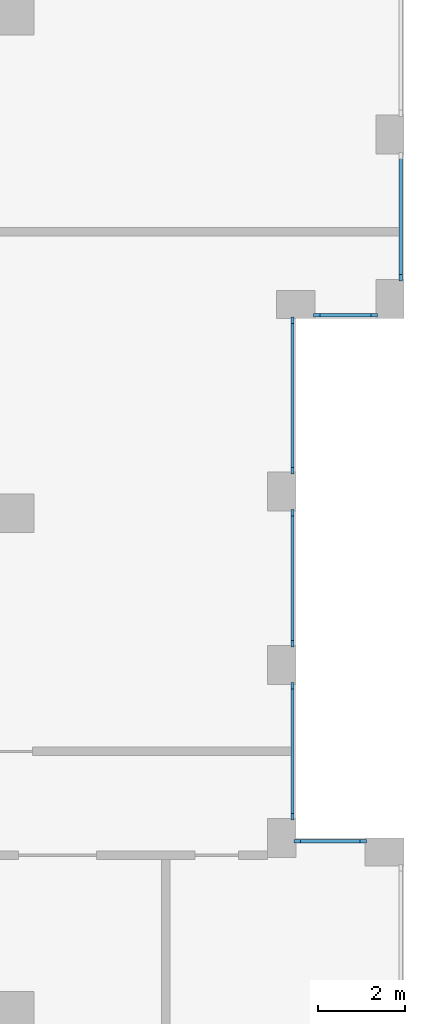
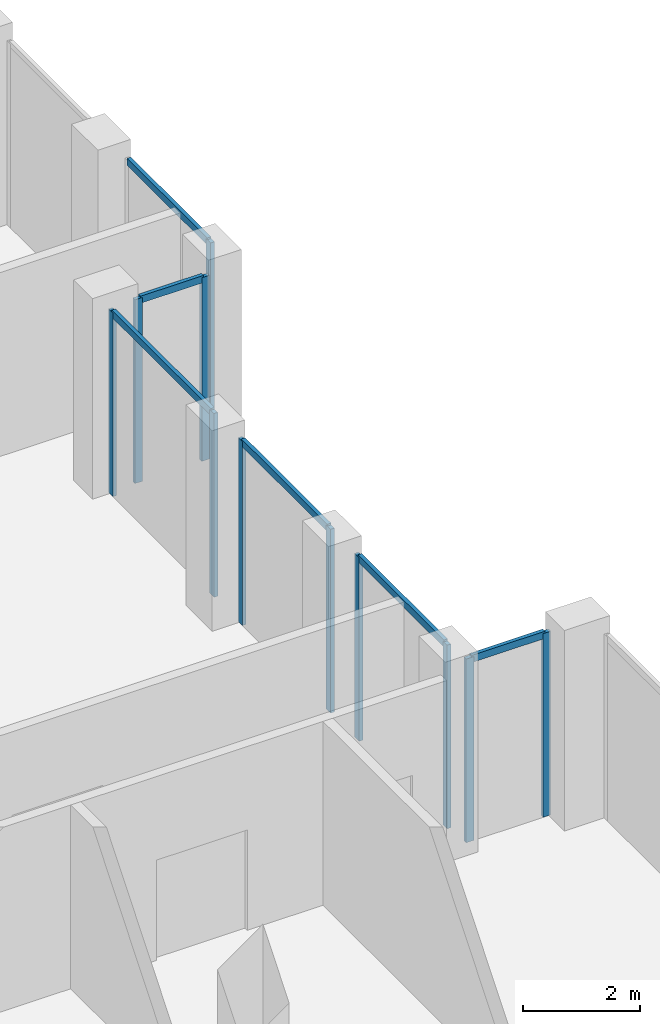
# One storey, part 6 of 15: 17 members, 6 elements without a shape of their own.
"""IFC4 building model written with IfcOpenShell, lengths in metres."""

from ifc_helpers import new_model, si_unit, direction, frame, origin, origin_2d, place, context, subcontext, project, spatial, rectangle, extrude, material, layer, layer_set, material_profile, profile_set, type_object, element, aggregate, save


model = new_model("IFC4")

# Units and contexts
model_context = context("Model", 3, precision=1e-05, world=origin(), true_north=direction((0.0, 1.0)))
body_context = subcontext(model_context, "Body", "Model", "MODEL_VIEW")
ifc_project = project(units=[si_unit("LENGTHUNIT", "METRE"), si_unit("AREAUNIT", "SQUARE_METRE"), si_unit("VOLUMEUNIT", "CUBIC_METRE"), si_unit("PLANEANGLEUNIT", "RADIAN"), si_unit("MASSUNIT", "GRAM", prefix="KILO")], contexts=[model_context])

# Site, building, storey
site_placement = place(None, origin())
site = spatial("IfcSite", under=ifc_project, at=site_placement, CompositionType="ELEMENT")
building_placement = place(site_placement, origin())
building = spatial("IfcBuilding", under=site, at=building_placement, Name="Brigalow Station Residences", CompositionType="ELEMENT")
storey_placement = place(building_placement, frame((0.0, 0.0, 235.800048828125)))
storey = spatial("IfcBuildingStorey", under=building, at=storey_placement, Name="L68", CompositionType="ELEMENT", Elevation=235.800048828125)

# Curtain wall, members
ifc_material_1 = material(Name="Aluminium", Category="aluminium")
ifc_layer = layer(ifc_material_1, 0.14990234375)
ifc_layer_set = layer_set([ifc_layer], Name="CROWN CURTAIN WALL")
curtain_wall_type = type_object("IfcCurtainWallType", Name="CROWN CURTAIN WALL", PredefinedType="NOTDEFINED", material=ifc_layer_set)
curtain_wall_1_placement = place(storey_placement, origin())
curtain_wall_1 = element("IfcCurtainWall", 1, at=curtain_wall_1_placement, inside=storey, type_object=curtain_wall_type, Name="L68/cw/crown-W-L68-11-10", PredefinedType="NOTDEFINED")
ifc_material_2 = material(Name="Aluminium", Category="aluminium")
ifc_material_profile_1 = material_profile(ifc_material_2, rectangle(XDim=0.074951171875, YDim=0.14990234375, at=origin_2d()), Name="CROWN MULLION 75x150")
ifc_profile_set_1 = profile_set([ifc_material_profile_1], Name="Aluminium")
member_type_1 = type_object("IfcMemberType", Name="CROWN MULLION 75x150", PredefinedType="MULLION", material=ifc_profile_set_1)
member_1_placement = place(storey_placement, frame((71.0625, 16.425048828125, 0.0), z_axis=(0.0, 0.0, 1.0), x_axis=(0.0, -1.0, 0.0)))
member_1 = element("IfcMember", 2, at=member_1_placement, type_object=member_type_1, Name="L68/cw/crown-W-L68-11-10/M00", PredefinedType="MULLION", context=body_context, shape_type="SweptSolid", body=[
    extrude(rectangle(XDim=0.074951171875, YDim=0.14990234375, at=origin_2d()), origin(), (0.0, 0.0, 1.0), 3.849853515625),
])
member_2_placement = place(storey_placement, frame((69.53759765625, 16.425048828125, 0.0), z_axis=(0.0, 0.0, 1.0), x_axis=(0.0, -1.0, 0.0)))
member_2 = element("IfcMember", 3, at=member_2_placement, type_object=member_type_1, Name="L68/cw/crown-W-L68-11-10/M01", PredefinedType="MULLION", context=body_context, shape_type="SweptSolid", body=[
    extrude(rectangle(XDim=0.074951171875, YDim=0.14990234375, at=origin_2d()), origin(), (0.0, 0.0, 1.0), 3.849853515625),
])

curtain_wall_2_placement = place(storey_placement, origin())
curtain_wall_2 = element("IfcCurtainWall", 4, at=curtain_wall_2_placement, inside=storey, type_object=curtain_wall_type, Name="L68/cw/crown-W-L68-12-11", PredefinedType="NOTDEFINED")
member_3_placement = place(storey_placement, frame((69.425048828125, 16.987548828125, 0.0), z_axis=(0.0, 0.0, 1.0), x_axis=(-1.0, 0.0, 0.0)))
member_3 = element("IfcMember", 5, at=member_3_placement, type_object=member_type_1, Name="L68/cw/crown-W-L68-12-11/M00", PredefinedType="MULLION", context=body_context, shape_type="SweptSolid", body=[
    extrude(rectangle(XDim=0.074951171875, YDim=0.14990234375, at=origin_2d()), origin(), (0.0, 0.0, 1.0), 3.849853515625),
])
member_4_placement = place(storey_placement, frame((69.425048828125, 20.012451171875, 0.0), z_axis=(0.0, 0.0, 1.0), x_axis=(-1.0, 0.0, 0.0)))
member_4 = element("IfcMember", 6, at=member_4_placement, type_object=member_type_1, Name="L68/cw/crown-W-L68-12-11/M01", PredefinedType="MULLION", context=body_context, shape_type="SweptSolid", body=[
    extrude(rectangle(XDim=0.074951171875, YDim=0.14990234375, at=origin_2d()), origin(), (0.0, 0.0, 1.0), 3.849853515625),
])

curtain_wall_3_placement = place(storey_placement, origin())
curtain_wall_3 = element("IfcCurtainWall", 7, at=curtain_wall_3_placement, inside=storey, type_object=curtain_wall_type, Name="L68/cw/crown-W-L68-12-12", PredefinedType="NOTDEFINED")
member_5_placement = place(storey_placement, frame((69.425048828125, 20.987548828125, 0.0), z_axis=(0.0, 0.0, 1.0), x_axis=(-1.0, 0.0, 0.0)))
member_5 = element("IfcMember", 8, at=member_5_placement, type_object=member_type_1, Name="L68/cw/crown-W-L68-12-12/M00", PredefinedType="MULLION", context=body_context, shape_type="SweptSolid", body=[
    extrude(rectangle(XDim=0.074951171875, YDim=0.14990234375, at=origin_2d()), origin(), (0.0, 0.0, 1.0), 3.849853515625),
])
member_6_placement = place(storey_placement, frame((69.425048828125, 24.012451171875, 0.0), z_axis=(0.0, 0.0, 1.0), x_axis=(-1.0, 0.0, 0.0)))
member_6 = element("IfcMember", 9, at=member_6_placement, type_object=member_type_1, Name="L68/cw/crown-W-L68-12-12/M01", PredefinedType="MULLION", context=body_context, shape_type="SweptSolid", body=[
    extrude(rectangle(XDim=0.074951171875, YDim=0.14990234375, at=origin_2d()), origin(), (0.0, 0.0, 1.0), 3.849853515625),
])

curtain_wall_4_placement = place(storey_placement, origin())
curtain_wall_4 = element("IfcCurtainWall", 10, at=curtain_wall_4_placement, inside=storey, type_object=curtain_wall_type, Name="L68/cw/crown-W-L68-12-13", PredefinedType="NOTDEFINED")
member_7_placement = place(storey_placement, frame((69.425048828125, 24.987548828125, 0.0), z_axis=(0.0, 0.0, 1.0), x_axis=(-1.0, 0.0, 0.0)))
member_7 = element("IfcMember", 11, at=member_7_placement, type_object=member_type_1, Name="L68/cw/crown-W-L68-12-13/M00", PredefinedType="MULLION", context=body_context, shape_type="SweptSolid", body=[
    extrude(rectangle(XDim=0.074951171875, YDim=0.14990234375, at=origin_2d()), origin(), (0.0, 0.0, 1.0), 3.849853515625),
])
member_8_placement = place(storey_placement, frame((69.425048828125, 28.46240234375, 0.0), z_axis=(0.0, 0.0, 1.0), x_axis=(-1.0, 0.0, 0.0)))
member_8 = element("IfcMember", 12, at=member_8_placement, type_object=member_type_1, Name="L68/cw/crown-W-L68-12-13/M01", PredefinedType="MULLION", context=body_context, shape_type="SweptSolid", body=[
    extrude(rectangle(XDim=0.074951171875, YDim=0.14990234375, at=origin_2d()), origin(), (0.0, 0.0, 1.0), 3.849853515625),
])

curtain_wall_5_placement = place(storey_placement, origin())
curtain_wall_5 = element("IfcCurtainWall", 13, at=curtain_wall_5_placement, inside=storey, type_object=curtain_wall_type, Name="L68/cw/crown-W-L68-15-14", PredefinedType="NOTDEFINED")
member_9_placement = place(storey_placement, frame((69.987548828125, 28.574951171875, 0.0), z_axis=(0.0, 0.0, 1.0), x_axis=(0.0, 1.0, 0.0)))
member_9 = element("IfcMember", 14, at=member_9_placement, type_object=member_type_1, Name="L68/cw/crown-W-L68-15-14/M00", PredefinedType="MULLION", context=body_context, shape_type="SweptSolid", body=[
    extrude(rectangle(XDim=0.074951171875, YDim=0.14990234375, at=origin_2d()), origin(), (0.0, 0.0, 1.0), 3.849853515625),
])
member_10_placement = place(storey_placement, frame((71.3125, 28.574951171875, 0.0), z_axis=(0.0, 0.0, 1.0), x_axis=(0.0, 1.0, 0.0)))
member_10 = element("IfcMember", 15, at=member_10_placement, type_object=member_type_1, Name="L68/cw/crown-W-L68-15-14/M01", PredefinedType="MULLION", context=body_context, shape_type="SweptSolid", body=[
    extrude(rectangle(XDim=0.074951171875, YDim=0.14990234375, at=origin_2d()), origin(), (0.0, 0.0, 1.0), 3.849853515625),
])

# Curtain wall, member
curtain_wall_6_placement = place(storey_placement, origin())
curtain_wall_6 = element("IfcCurtainWall", 16, at=curtain_wall_6_placement, inside=storey, type_object=curtain_wall_type, Name="L68/cw/crown-W-L68-16-15", PredefinedType="NOTDEFINED")
member_11_placement = place(storey_placement, frame((71.925048828125, 29.4375, 0.0), z_axis=(0.0, 0.0, 1.0), x_axis=(-1.0, 0.0, 0.0)))
member_11 = element("IfcMember", 17, at=member_11_placement, type_object=member_type_1, Name="L68/cw/crown-W-L68-16-15/M00", PredefinedType="MULLION", context=body_context, shape_type="SweptSolid", body=[
    extrude(rectangle(XDim=0.074951171875, YDim=0.14990234375, at=origin_2d()), origin(), (0.0, 0.0, 1.0), 3.849853515625),
])

# Member
ifc_material_3 = material(Name="Aluminium", Category="aluminium")
ifc_material_profile_2 = material_profile(ifc_material_3, rectangle(XDim=0.074951171875, YDim=0.14990234375, at=origin_2d()), Name="CROWN TRANSOM 75x150")
ifc_profile_set_2 = profile_set([ifc_material_profile_2], Name="Aluminium")
member_type_2 = type_object("IfcMemberType", Name="CROWN TRANSOM 75x150", PredefinedType="USERDEFINED", material=ifc_profile_set_2)
member_12_placement = place(storey_placement, frame((71.02490234375, 16.425048828125, 3.8125), z_axis=(-1.0, 0.0, 0.0), x_axis=(0.0, -1.0, 0.0)))
member_12 = element("IfcMember", 18, at=member_12_placement, type_object=member_type_2, Name="L68/cw/crown-W-L68-11-10/T00-00", ObjectType="TRANSOM", PredefinedType="USERDEFINED", context=body_context, shape_type="SweptSolid", body=[
    extrude(rectangle(XDim=0.074951171875, YDim=0.14990234375, at=origin_2d()), origin(), (0.0, 0.0, 1.0), 1.449951171875),
])

aggregate(curtain_wall_1, [member_1, member_2, member_12])

member_13_placement = place(storey_placement, frame((69.425048828125, 17.02490234375, 3.8125), z_axis=(0.0, 1.0, 0.0), x_axis=(-1.0, 0.0, 0.0)))
member_13 = element("IfcMember", 19, at=member_13_placement, type_object=member_type_2, Name="L68/cw/crown-W-L68-12-11/T00-00", ObjectType="TRANSOM", PredefinedType="USERDEFINED", context=body_context, shape_type="SweptSolid", body=[
    extrude(rectangle(XDim=0.074951171875, YDim=0.14990234375, at=origin_2d()), origin(), (0.0, 0.0, 1.0), 2.9501953125),
])

aggregate(curtain_wall_2, [member_3, member_4, member_13])

member_14_placement = place(storey_placement, frame((69.425048828125, 21.02490234375, 3.8125), z_axis=(0.0, 1.0, 0.0), x_axis=(-1.0, 0.0, 0.0)))
member_14 = element("IfcMember", 20, at=member_14_placement, type_object=member_type_2, Name="L68/cw/crown-W-L68-12-12/T00-00", ObjectType="TRANSOM", PredefinedType="USERDEFINED", context=body_context, shape_type="SweptSolid", body=[
    extrude(rectangle(XDim=0.074951171875, YDim=0.14990234375, at=origin_2d()), origin(), (0.0, 0.0, 1.0), 2.9501953125),
])

aggregate(curtain_wall_3, [member_5, member_6, member_14])

member_15_placement = place(storey_placement, frame((69.425048828125, 25.02490234375, 3.8125), z_axis=(0.0, 1.0, 0.0), x_axis=(-1.0, 0.0, 0.0)))
member_15 = element("IfcMember", 21, at=member_15_placement, type_object=member_type_2, Name="L68/cw/crown-W-L68-12-13/T00-00", ObjectType="TRANSOM", PredefinedType="USERDEFINED", context=body_context, shape_type="SweptSolid", body=[
    extrude(rectangle(XDim=0.074951171875, YDim=0.14990234375, at=origin_2d()), origin(), (0.0, 0.0, 1.0), 3.400146484375),
])

aggregate(curtain_wall_4, [member_7, member_8, member_15])

member_16_placement = place(storey_placement, frame((70.02490234375, 28.574951171875, 3.8125), z_axis=(1.0, 0.0, 0.0), x_axis=(0.0, 1.0, 0.0)))
member_16 = element("IfcMember", 22, at=member_16_placement, type_object=member_type_2, Name="L68/cw/crown-W-L68-15-14/T00-00", ObjectType="TRANSOM", PredefinedType="USERDEFINED", context=body_context, shape_type="SweptSolid", body=[
    extrude(rectangle(XDim=0.074951171875, YDim=0.14990234375, at=origin_2d()), origin(), (0.0, 0.0, 1.0), 1.25),
])

aggregate(curtain_wall_5, [member_9, member_10, member_16])

member_17_placement = place(storey_placement, frame((71.925048828125, 29.47509765625, 3.8125), z_axis=(0.0, 1.0, 0.0), x_axis=(-1.0, 0.0, 0.0)))
member_17 = element("IfcMember", 23, at=member_17_placement, type_object=member_type_2, Name="L68/cw/crown-W-L68-16-15/T00-00", ObjectType="TRANSOM", PredefinedType="USERDEFINED", context=body_context, shape_type="SweptSolid", body=[
    extrude(rectangle(XDim=0.074951171875, YDim=0.14990234375, at=origin_2d()), origin(), (0.0, 0.0, 1.0), 2.75),
])

aggregate(curtain_wall_6, [member_11, member_17])

save(model, "model.ifc")
